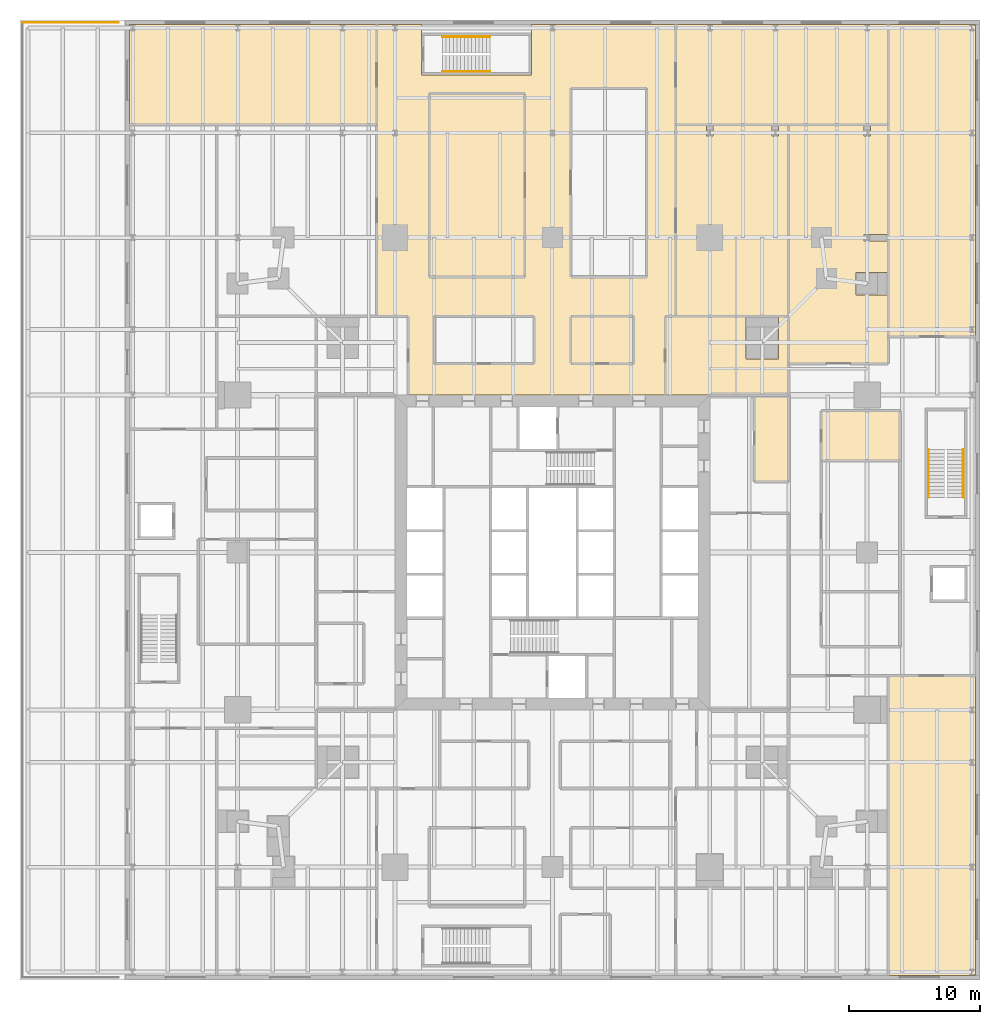
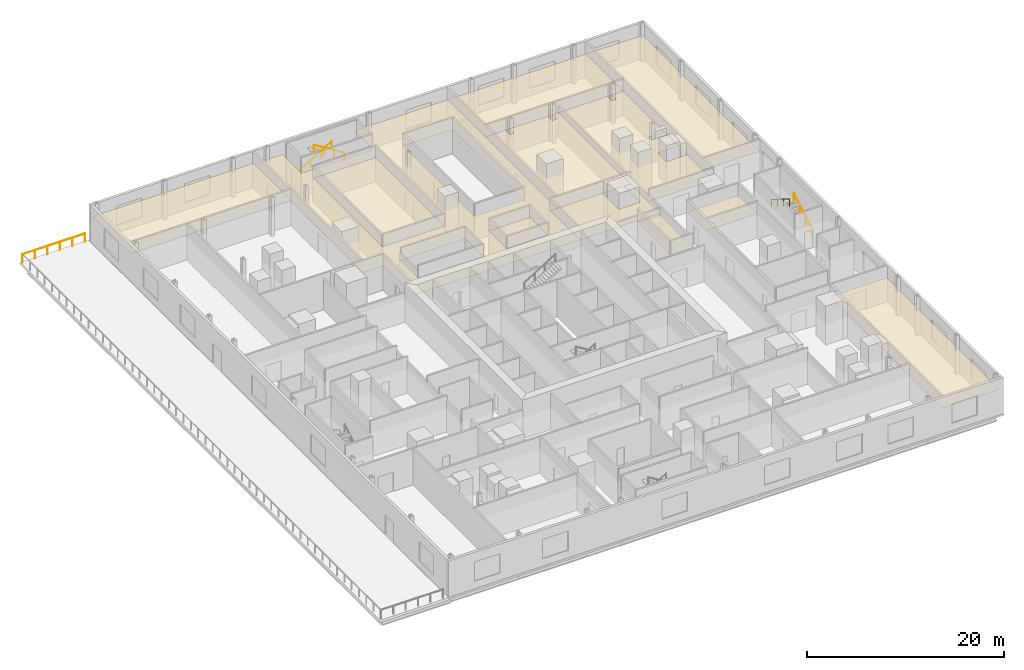
# One storey, part 17 of 17: 12 coverings, 5 railings.
"""IFC4 building model written with IfcOpenShell, lengths in metres."""

from ifc_helpers import new_model, si_unit, direction, frame, origin, origin_2d, place, context, subcontext, project, spatial, polyline, circle, outline, extrude, material, layer, layer_set, type_object, element, save


model = new_model("IFC4")

# Units and contexts
model_context = context("Model", 3, precision=1e-05, world=origin(), true_north=direction((0.0, 1.0)))
body_context = subcontext(model_context, "Body", "Model", "MODEL_VIEW")
ifc_project = project(units=[si_unit("LENGTHUNIT", "METRE"), si_unit("AREAUNIT", "SQUARE_METRE"), si_unit("VOLUMEUNIT", "CUBIC_METRE"), si_unit("PLANEANGLEUNIT", "RADIAN"), si_unit("MASSUNIT", "GRAM", prefix="KILO")], contexts=[model_context])

# Site, building, storey
site_placement = place(None, origin())
site = spatial("IfcSite", under=ifc_project, at=site_placement, CompositionType="ELEMENT")
building_placement = place(site_placement, origin())
building = spatial("IfcBuilding", under=site, at=building_placement, Name="Fenwick Lantern Interchange", CompositionType="ELEMENT")
storey_placement = place(building_placement, frame((0.0, 0.0, 21.39990234375)))
storey = spatial("IfcBuildingStorey", under=building, at=storey_placement, Name="L04", CompositionType="ELEMENT", Elevation=21.39990234375)

# Coverings
ifc_material_1 = material(Name="Mineral fibre acoustic tile on suspended grid")
ifc_layer = layer(ifc_material_1, 0.02001953125)
ifc_layer_set = layer_set([ifc_layer], Name="ACOUSTIC TILE CEILING 20")
covering_type = type_object("IfcCoveringType", Name="ACOUSTIC TILE CEILING 20", PredefinedType="CEILING", material=ifc_layer_set)
covering_1_placement = place(storey_placement, frame((0.0, 0.0, 2.900146484375)))
element("IfcCovering", 1, at=covering_1_placement, inside=storey, type_object=covering_type, Name="Business centre corridor north ceiling", PredefinedType="CEILING", context=body_context, shape_type="SweptSolid", body=[
    extrude(outline(polyline([(34.39990234375, 57.60009765625), (34.39990234375, 65.25), (23.39990234375, 65.25), (23.39990234375, 64.60009765625), (23.39990234375, 61.39990234375), (15.0, 61.39990234375), (15.0, 64.60009765625), (15.0, 65.25), (11.60009765625, 65.25), (11.60009765625, 57.60009765625), (11.60009765625, 43.0), (14.0, 43.0), (14.0, 37.0), (33.60009765625, 37.0), (33.60009765625, 43.0), (34.39990234375, 43.0), (34.39990234375, 57.60009765625)]), holes=[polyline([(23.60009765625, 39.39990234375), (16.0, 39.39990234375), (16.0, 43.0), (23.60009765625, 43.0), (23.60009765625, 39.39990234375)]), polyline([(26.39990234375, 39.39990234375), (26.39990234375, 43.0), (31.199951171875, 43.0), (31.199951171875, 39.39990234375), (26.39990234375, 39.39990234375)]), polyline([(22.89990234375, 46.0), (15.60009765625, 46.0), (15.60009765625, 60.0), (22.89990234375, 60.0), (22.89990234375, 46.0)]), polyline([(26.39990234375, 46.0), (26.39990234375, 60.39990234375), (32.199951171875, 60.39990234375), (32.199951171875, 46.0), (26.39990234375, 46.0)])]), origin(), (0.0, 0.0, 1.0), 0.02001953125),
])
covering_2_placement = place(storey_placement, frame((0.0, 0.0, 2.900146484375)))
element("IfcCovering", 2, at=covering_2_placement, inside=storey, type_object=covering_type, Name="Office suite 04-3 ceiling", PredefinedType="CEILING", context=body_context, shape_type="SweptSolid", body=[
    extrude(outline(polyline([(50.60009765625, 15.60009765625), (50.60009765625, -7.25), (57.25, -7.25), (57.25, 15.60009765625), (50.60009765625, 15.60009765625)])), origin(), (0.0, 0.0, 1.0), 0.02001953125),
])
covering_3_placement = place(storey_placement, frame((0.0, 0.0, 2.900146484375)))
element("IfcCovering", 3, at=covering_3_placement, inside=storey, type_object=covering_type, Name="Office suite 04-10 ceiling", PredefinedType="CEILING", context=body_context, shape_type="SweptSolid", body=[
    extrude(outline(polyline([(50.60009765625, 49.25830078125), (50.60009765625, 57.60009765625), (49.253173828125, 57.60009765625), (49.253173828125, 56.74169921875), (48.746826171875, 56.74169921875), (48.746826171875, 57.60009765625), (43.0, 57.60009765625), (43.0, 39.39990234375), (50.60009765625, 39.39990234375), (50.60009765625, 44.64990234375), (48.14990234375, 44.64990234375), (48.14990234375, 46.35009765625), (50.60009765625, 46.35009765625), (50.60009765625, 48.74169921875), (48.746826171875, 48.74169921875), (48.746826171875, 49.25830078125), (50.60009765625, 49.25830078125)])), origin(), (0.0, 0.0, 1.0), 0.02001953125),
])
covering_4_placement = place(storey_placement, frame((0.0, 0.0, 2.900146484375)))
element("IfcCovering", 4, at=covering_4_placement, inside=storey, type_object=covering_type, Name="Office suite 04-4 ceiling", PredefinedType="CEILING", context=body_context, shape_type="SweptSolid", body=[
    extrude(outline(polyline([(57.25, 65.25), (50.60009765625, 65.25), (50.60009765625, 41.449951171875), (57.25, 41.449951171875), (57.25, 65.25)])), origin(), (0.0, 0.0, 1.0), 0.02001953125),
])
covering_5_placement = place(storey_placement, frame((0.0, 0.0, 2.900146484375)))
element("IfcCovering", 5, at=covering_5_placement, inside=storey, type_object=covering_type, Name="Office suite 04-5 ceiling", PredefinedType="CEILING", context=body_context, shape_type="SweptSolid", body=[
    extrude(outline(polyline([(36.746826171875, 57.60009765625), (34.39990234375, 57.60009765625), (34.39990234375, 43.0), (43.0, 43.0), (43.0, 57.60009765625), (42.253173828125, 57.60009765625), (42.253173828125, 56.74169921875), (41.746826171875, 56.74169921875), (41.746826171875, 57.60009765625), (37.253173828125, 57.60009765625), (37.253173828125, 56.74169921875), (36.746826171875, 56.74169921875), (36.746826171875, 57.60009765625)])), origin(), (0.0, 0.0, 1.0), 0.02001953125),
])
covering_6_placement = place(storey_placement, frame((0.0, 0.0, 2.900146484375)))
element("IfcCovering", 6, at=covering_6_placement, inside=storey, type_object=covering_type, Name="Office suite 04-6 ceiling", PredefinedType="CEILING", context=body_context, shape_type="SweptSolid", body=[
    extrude(outline(polyline([(50.60009765625, 57.60009765625), (50.60009765625, 65.25), (34.39990234375, 65.25), (34.39990234375, 57.60009765625), (50.60009765625, 57.60009765625)])), origin(), (0.0, 0.0, 1.0), 0.02001953125),
])
covering_7_placement = place(storey_placement, frame((0.0, 0.0, 3.0)))
element("IfcCovering", 7, at=covering_7_placement, inside=storey, type_object=covering_type, Name="Fitness centre ceiling", PredefinedType="CEILING", context=body_context, shape_type="SweptSolid", body=[
    extrude(outline(polyline([(11.60009765625, 57.60009765625), (11.60009765625, 65.25), (-7.25, 65.25), (-7.25, 57.60009765625), (11.60009765625, 57.60009765625)])), origin(), (0.0, 0.0, 1.0), 0.02001953125),
])
covering_8_placement = place(storey_placement, frame((0.0, 0.0, 2.900146484375)))
element("IfcCovering", 8, at=covering_8_placement, inside=storey, type_object=covering_type, Name="Meeting room 04-4 ceiling", PredefinedType="CEILING", context=body_context, shape_type="SweptSolid", body=[
    extrude(outline(polyline([(33.60009765625, 43.0), (33.60009765625, 37.0), (43.0, 37.0), (43.0, 43.0), (42.25, 43.0), (42.25, 39.75), (39.75, 39.75), (39.75, 43.0), (33.60009765625, 43.0)])), origin(), (0.0, 0.0, 1.0), 0.02001953125),
])
covering_9_placement = place(storey_placement, frame((0.0, 0.0, 2.900146484375)))
element("IfcCovering", 9, at=covering_9_placement, inside=storey, type_object=covering_type, Name="Office suite 04-11 ceiling", PredefinedType="CEILING", context=body_context, shape_type="SweptSolid", body=[
    extrude(outline(polyline([(15.60009765625, 46.0), (22.89990234375, 46.0), (22.89990234375, 60.0), (15.60009765625, 60.0), (15.60009765625, 46.0)])), origin(), (0.0, 0.0, 1.0), 0.02001953125),
])
covering_10_placement = place(storey_placement, frame((0.0, 0.0, 2.900146484375)))
element("IfcCovering", 10, at=covering_10_placement, inside=storey, type_object=covering_type, Name="Meeting room 04-8 ceiling", PredefinedType="CEILING", context=body_context, shape_type="SweptSolid", body=[
    extrude(outline(polyline([(26.39990234375, 39.39990234375), (31.199951171875, 39.39990234375), (31.199951171875, 43.0), (26.39990234375, 43.0), (26.39990234375, 39.39990234375)])), origin(), (0.0, 0.0, 1.0), 0.02001953125),
])
covering_11_placement = place(storey_placement, frame((0.0, 0.0, 2.900146484375)))
element("IfcCovering", 11, at=covering_11_placement, inside=storey, type_object=covering_type, Name="Meeting room 04-10 ceiling", PredefinedType="CEILING", context=body_context, shape_type="SweptSolid", body=[
    extrude(outline(polyline([(45.5, 32.0), (51.5, 32.0), (51.5, 35.800048828125), (45.5, 35.800048828125), (45.5, 32.0)])), origin(), (0.0, 0.0, 1.0), 0.02001953125),
])
covering_12_placement = place(storey_placement, frame((0.0, 0.0, 2.7001953125)))
element("IfcCovering", 12, at=covering_12_placement, inside=storey, type_object=covering_type, Name="Quiet room ceiling", PredefinedType="CEILING", context=body_context, shape_type="SweptSolid", body=[
    extrude(outline(polyline([(40.39990234375, 30.39990234375), (43.0, 30.39990234375), (43.0, 37.0), (40.39990234375, 37.0), (40.39990234375, 30.39990234375)])), origin(), (0.0, 0.0, 1.0), 0.02001953125),
])

# Railings
ifc_material_2 = material(Name="Stainless steel handrail", Category="steel")
railing_type_1 = type_object("IfcRailingType", Name="HANDRAIL 900", PredefinedType="HANDRAIL", material=ifc_material_2)
railing_1_placement = place(storey_placement, frame((16.60009765625, 64.325927734375, 0.171630859375)))
element("IfcRailing", 13, at=railing_1_placement, inside=storey, type_object=railing_type_1, Name="L04/STAIR/PS1/HR1", PredefinedType="HANDRAIL", context=body_context, shape_type="SweptSolid", body=[
    extrude(circle(Radius=0.02392578125, at=origin_2d()), frame((0.0, 0.0, 0.8759765625), z_axis=(0.852850264322, 0.0, 0.5221555579), x_axis=(0.0, 1.0, 0.0)), (0.0, 0.0, 1.0), 4.267822265625),
    extrude(circle(Radius=0.02099609375, at=origin_2d()), origin(), (0.0, 0.0, 1.0), 0.851806640625),
    extrude(circle(Radius=0.02099609375, at=origin_2d()), frame((1.21337890625, 0.0, 0.742919921875)), (0.0, 0.0, 1.0), 0.851806640625),
    extrude(circle(Radius=0.02099609375, at=origin_2d()), frame((2.426513671875, 0.0, 1.485595703125)), (0.0, 0.0, 1.0), 0.851806640625),
    extrude(circle(Radius=0.02099609375, at=origin_2d()), frame((3.639892578125, 0.0, 2.228515625)), (0.0, 0.0, 1.0), 0.851806640625),
])
railing_2_placement = place(storey_placement, frame((20.239990234375, 61.674072265625, 2.571533203125)))
element("IfcRailing", 14, at=railing_2_placement, inside=storey, type_object=railing_type_1, Name="L04/STAIR/PS1/HR2", PredefinedType="HANDRAIL", context=body_context, shape_type="SweptSolid", body=[
    extrude(circle(Radius=0.02392578125, at=origin_2d()), frame((0.0, 0.0, 0.8759765625), z_axis=(-0.852850264322, 0.0, 0.5221555579), x_axis=(0.0, -1.0, 0.0)), (0.0, 0.0, 1.0), 4.267822265625),
    extrude(circle(Radius=0.02099609375, at=origin_2d()), origin(), (0.0, 0.0, 1.0), 0.851806640625),
    extrude(circle(Radius=0.02099609375, at=origin_2d()), frame((-1.21337890625, 0.0, 0.742919921875)), (0.0, 0.0, 1.0), 0.851806640625),
    extrude(circle(Radius=0.02099609375, at=origin_2d()), frame((-2.426513671875, 0.0, 1.485595703125)), (0.0, 0.0, 1.0), 0.851806640625),
    extrude(circle(Radius=0.02099609375, at=origin_2d()), frame((-3.639892578125, 0.0, 2.228515625)), (0.0, 0.0, 1.0), 0.851806640625),
])
railing_3_placement = place(storey_placement, frame((56.325927734375, 29.199951171875, 0.171630859375)))
element("IfcRailing", 15, at=railing_3_placement, inside=storey, type_object=railing_type_1, Name="L04/STAIR/PS4/HR1", PredefinedType="HANDRAIL", context=body_context, shape_type="SweptSolid", body=[
    extrude(circle(Radius=0.02392578125, at=origin_2d()), frame((0.0, 0.0, 0.8759765625), z_axis=(0.0, 0.852865859571, 0.52213008492), x_axis=(-1.0, 0.0, 0.0)), (0.0, 0.0, 1.0), 4.26806640625),
    extrude(circle(Radius=0.02099609375, at=origin_2d()), origin(), (0.0, 0.0, 1.0), 0.851806640625),
    extrude(circle(Radius=0.02099609375, at=origin_2d()), frame((0.0, 1.21337890625, 0.742919921875)), (0.0, 0.0, 1.0), 0.851806640625),
    extrude(circle(Radius=0.02099609375, at=origin_2d()), frame((0.0, 2.4267578125, 1.485595703125)), (0.0, 0.0, 1.0), 0.851806640625),
    extrude(circle(Radius=0.02099609375, at=origin_2d()), frame((0.0, 3.64013671875, 2.228515625)), (0.0, 0.0, 1.0), 0.851806640625),
])
railing_4_placement = place(storey_placement, frame((53.674072265625, 32.840087890625, 2.571533203125)))
element("IfcRailing", 16, at=railing_4_placement, inside=storey, type_object=railing_type_1, Name="L04/STAIR/PS4/HR2", PredefinedType="HANDRAIL", context=body_context, shape_type="SweptSolid", body=[
    extrude(circle(Radius=0.02392578125, at=origin_2d()), frame((0.0, 0.0, 0.8759765625), z_axis=(0.0, -0.852865859571, 0.52213008492), x_axis=(1.0, 0.0, 0.0)), (0.0, 0.0, 1.0), 4.26806640625),
    extrude(circle(Radius=0.02099609375, at=origin_2d()), origin(), (0.0, 0.0, 1.0), 0.851806640625),
    extrude(circle(Radius=0.02099609375, at=origin_2d()), frame((0.0, -1.21337890625, 0.742919921875)), (0.0, 0.0, 1.0), 0.851806640625),
    extrude(circle(Radius=0.02099609375, at=origin_2d()), frame((0.0, -2.4267578125, 1.485595703125)), (0.0, 0.0, 1.0), 0.851806640625),
    extrude(circle(Radius=0.02099609375, at=origin_2d()), frame((0.0, -3.64013671875, 2.228515625)), (0.0, 0.0, 1.0), 0.851806640625),
])
ifc_material_3 = material(Name="Stainless steel and laminated glass guard", Category="steel")
railing_type_2 = type_object("IfcRailingType", Name="TERRACE GUARD 1100", PredefinedType="GUARDRAIL", material=ifc_material_3)
railing_5_placement = place(storey_placement, frame((-8.10009765625, 65.39990234375, 0.0)))
element("IfcRailing", 17, at=railing_5_placement, inside=storey, type_object=railing_type_2, Name="L04/GR/3", PredefinedType="GUARDRAIL", context=body_context, shape_type="SweptSolid", body=[
    extrude(circle(Radius=0.02392578125, at=origin_2d()), frame((0.0, 0.0, 1.076171875), z_axis=(-1.0, 0.0, 0.0), x_axis=(0.0, -1.0, 0.0)), (0.0, 0.0, 1.0), 7.2998046875),
    extrude(circle(Radius=0.02099609375, at=origin_2d()), origin(), (0.0, 0.0, 1.0), 1.052001953125),
    extrude(circle(Radius=0.02099609375, at=origin_2d()), frame((-1.4599609375, 0.0, 0.0)), (0.0, 0.0, 1.0), 1.052001953125),
    extrude(circle(Radius=0.02099609375, at=origin_2d()), frame((-2.919921875, 0.0, 0.0)), (0.0, 0.0, 1.0), 1.052001953125),
    extrude(circle(Radius=0.02099609375, at=origin_2d()), frame((-4.3798828125, 0.0, 0.0)), (0.0, 0.0, 1.0), 1.052001953125),
    extrude(circle(Radius=0.02099609375, at=origin_2d()), frame((-5.83984375, 0.0, 0.0)), (0.0, 0.0, 1.0), 1.052001953125),
    extrude(circle(Radius=0.02099609375, at=origin_2d()), frame((-7.2998046875, 0.0, 0.0)), (0.0, 0.0, 1.0), 1.052001953125),
])

save(model, "model.ifc")
